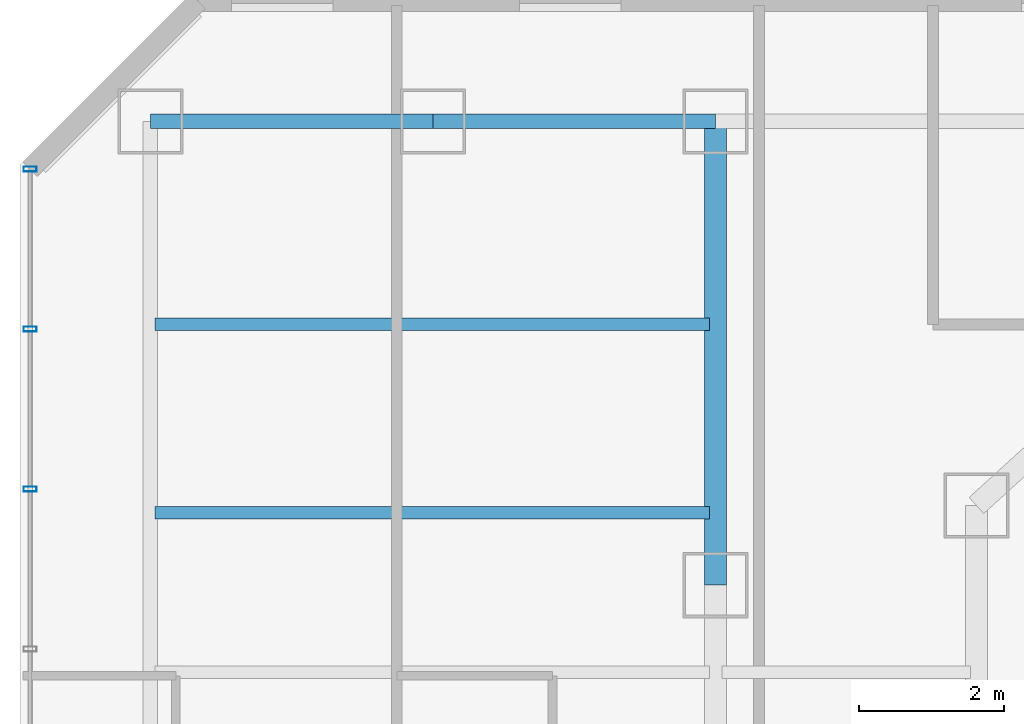
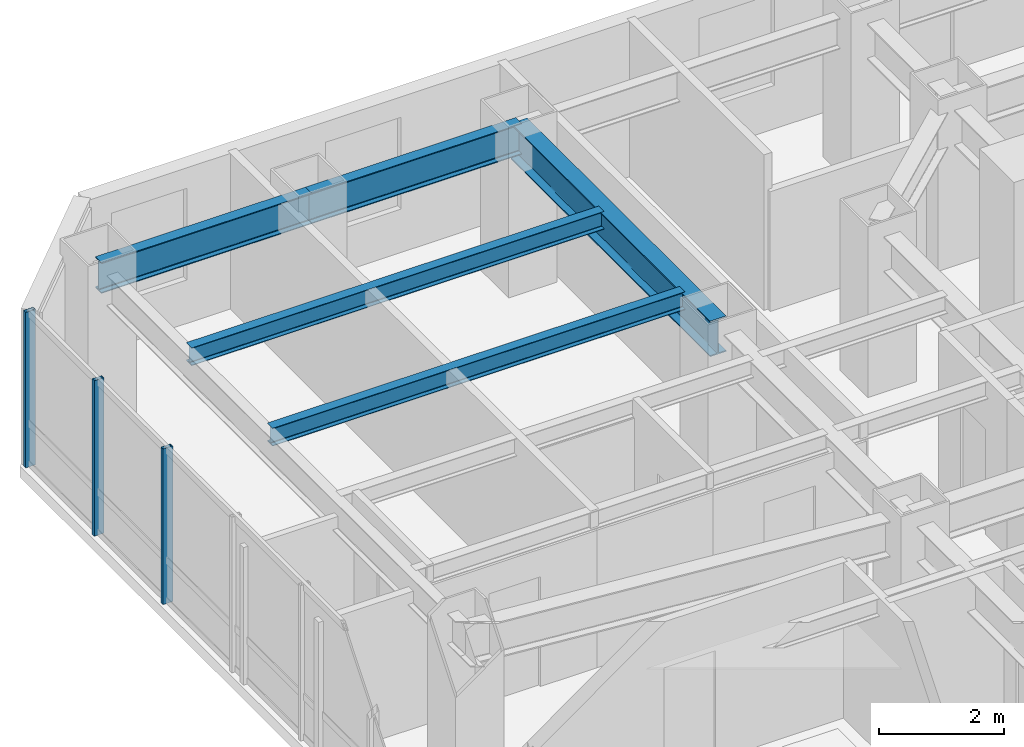
# One storey, part 23 of 36: 5 beams, 3 members, 1 element without a shape of its own.
"""IFC4 building model written with IfcOpenShell, lengths in metres."""

from ifc_helpers import new_model, si_unit, direction, frame, origin, origin_2d, place, context, subcontext, project, spatial, hollow_rectangle, i_section, extrude, material, layer, layer_set, material_profile, profile_set, type_object, element, aggregate, save


model = new_model("IFC4")

# Units and contexts
model_context = context("Model", 3, precision=1e-05, world=origin(), true_north=direction((0.0, 1.0)))
body_context = subcontext(model_context, "Body", "Model", "MODEL_VIEW")
ifc_project = project(units=[si_unit("LENGTHUNIT", "METRE"), si_unit("AREAUNIT", "SQUARE_METRE"), si_unit("VOLUMEUNIT", "CUBIC_METRE"), si_unit("PLANEANGLEUNIT", "RADIAN"), si_unit("MASSUNIT", "GRAM", prefix="KILO")], contexts=[model_context])

# Site, building, storey
site_placement = place(None, origin())
site = spatial("IfcSite", under=ifc_project, at=site_placement, CompositionType="ELEMENT")
building_placement = place(site_placement, origin())
building = spatial("IfcBuilding", under=site, at=building_placement, Name="Hatsunagi Terrace Concourse", CompositionType="ELEMENT")
storey_placement = place(building_placement, frame((0.0, 0.0, 88.0)))
storey = spatial("IfcBuildingStorey", under=building, at=storey_placement, Name="L23", CompositionType="ELEMENT", Elevation=88.0)

# Curtain wall, members
ifc_material_1 = material(Name="Anodised Aluminium Alloy 6063-T5", Category="aluminium")
ifc_layer = layer(ifc_material_1, 0.199951171875)
ifc_layer_set = layer_set([ifc_layer], Name="HotelFacade_CW02")
curtain_wall_type = type_object("IfcCurtainWallType", Name="HotelFacade_CW02", PredefinedType="NOTDEFINED", material=ifc_layer_set)
curtain_wall_placement = place(storey_placement, origin())
curtain_wall = element("IfcCurtainWall", 1, at=curtain_wall_placement, inside=storey, type_object=curtain_wall_type, Name="Unitised Curtain Wall CW-02 CW-L23-09", PredefinedType="NOTDEFINED")
ifc_material_2 = material(Name="Anodised Aluminium Alloy 6063-T5", Category="aluminium")
ifc_material_profile_1 = material_profile(ifc_material_2, hollow_rectangle(XDim=0.070068359375, YDim=0.179931640625, WallThickness=0.00390625, at=origin_2d()), Name="ALU-MUL-180x70x4")
ifc_profile_set_1 = profile_set([ifc_material_profile_1], Name="Anodised Aluminium Alloy 6063-T5")
member_type = type_object("IfcMemberType", Name="CurtainWallMullion_180x70", PredefinedType="MULLION", material=ifc_profile_set_1)
member_1_placement = place(storey_placement, frame((9.739990234375, 43.52490234375, 0.0), z_axis=(0.0, 0.0, 1.0), x_axis=(0.0, 1.0, 0.0)))
member_1 = element("IfcMember", 2, at=member_1_placement, type_object=member_type, Name="Curtain Wall Mullion MUL-02", PredefinedType="MULLION", context=body_context, shape_type="SweptSolid", body=[
    extrude(hollow_rectangle(XDim=0.070068359375, YDim=0.179931640625, WallThickness=0.00390625, at=origin_2d()), origin(), (0.0, 0.0, 1.0), 3.050048828125),
])
member_2_placement = place(storey_placement, frame((9.739990234375, 45.73388671875, 0.0), z_axis=(0.0, 0.0, 1.0), x_axis=(0.0, 1.0, 0.0)))
member_2 = element("IfcMember", 3, at=member_2_placement, type_object=member_type, Name="Curtain Wall Mullion MUL-02", PredefinedType="MULLION", context=body_context, shape_type="SweptSolid", body=[
    extrude(hollow_rectangle(XDim=0.070068359375, YDim=0.179931640625, WallThickness=0.00390625, at=origin_2d()), origin(), (0.0, 0.0, 1.0), 3.050048828125),
])
member_3_placement = place(storey_placement, frame((9.739990234375, 47.94189453125, 0.0), z_axis=(0.0, 0.0, 1.0), x_axis=(0.0, 1.0, 0.0)))
member_3 = element("IfcMember", 4, at=member_3_placement, type_object=member_type, Name="Curtain Wall Mullion MUL-02", PredefinedType="MULLION", context=body_context, shape_type="SweptSolid", body=[
    extrude(hollow_rectangle(XDim=0.070068359375, YDim=0.179931640625, WallThickness=0.00390625, at=origin_2d()), origin(), (0.0, 0.0, 1.0), 3.050048828125),
])
aggregate(curtain_wall, [member_1, member_2, member_3])

# Beams
ifc_material_3 = material(Name="Steel SN490B", Category="steel")
ifc_material_profile_2 = material_profile(ifc_material_3, i_section(OverallWidth=0.300048828125, OverallDepth=0.699951171875, WebThickness=0.012939453125, FlangeThickness=0.02392578125, FilletRadius=0.02197265625, at=origin_2d()), Name="H-700x300x13x24")
ifc_profile_set_2 = profile_set([ifc_material_profile_2], Name="Steel SN490B")
beam_type_1 = type_object("IfcBeamType", Name="HotelFloorGirder_H_700x300", PredefinedType="BEAM", material=ifc_profile_set_2)
beam_1_placement = place(storey_placement, frame((19.199951171875, 42.199951171875, 2.699951171875), z_axis=(0.0, 1.0, 0.0), x_axis=(-1.0, 0.0, 0.0)))
element("IfcBeam", 5, at=beam_1_placement, inside=storey, type_object=beam_type_1, Name="Beam G-04 BM-L23-NS-19-42", PredefinedType="BEAM", context=body_context, shape_type="SweptSolid", body=[
    extrude(i_section(OverallWidth=0.300048828125, OverallDepth=0.699951171875, WebThickness=0.012939453125, FlangeThickness=0.02392578125, FilletRadius=0.02197265625, at=origin_2d()), origin(), (0.0, 0.0, 1.0), 6.400146484375),
])
ifc_material_4 = material(Name="Steel SN490B", Category="steel")
ifc_material_profile_3 = material_profile(ifc_material_4, i_section(OverallWidth=0.175048828125, OverallDepth=0.35009765625, WebThickness=0.007080078125, FlangeThickness=0.010986328125, FilletRadius=0.012939453125, at=origin_2d()), Name="H-350x175x7x11")
ifc_profile_set_3 = profile_set([ifc_material_profile_3], Name="Steel SN490B")
beam_type_2 = type_object("IfcBeamType", Name="HotelJoist_H_350x175", PredefinedType="JOIST", material=ifc_profile_set_3)
for number, where, z_axis, x_axis, name in (
    (6, (11.465087890625, 43.199951171875, 2.875), (1.0, 0.0, 0.0), (0.0, 1.0, 0.0), "Beam J-02 J-L23-W-11-432"),
    (7, (11.465087890625, 45.800048828125, 2.875), (1.0, 0.0, 0.0), (0.0, 1.0, 0.0), "Beam J-02 J-L23-W-11-458"),
):
    element("IfcBeam", number, at=place(storey_placement, frame(where, z_axis=z_axis, x_axis=x_axis)), inside=storey, type_object=beam_type_2, Name=name, PredefinedType="JOIST", context=body_context, shape_type="SweptSolid", body=[
        extrude(i_section(OverallWidth=0.175048828125, OverallDepth=0.35009765625, WebThickness=0.007080078125, FlangeThickness=0.010986328125, FilletRadius=0.012939453125, at=origin_2d()), origin(), (0.0, 0.0, 1.0), 7.64990234375),
    ])
ifc_material_5 = material(Name="Steel SN490B", Category="steel")
ifc_material_profile_4 = material_profile(ifc_material_5, i_section(OverallWidth=0.199951171875, OverallDepth=0.60009765625, WebThickness=0.010986328125, FlangeThickness=0.01708984375, FilletRadius=0.01806640625, at=origin_2d()), Name="H-600x200x11x17")
ifc_profile_set_4 = profile_set([ifc_material_profile_4], Name="Steel SN490B")
beam_type_3 = type_object("IfcBeamType", Name="PerimeterSpandrel_H_600x200", PredefinedType="SPANDREL", material=ifc_profile_set_4)
beam_2_placement = place(storey_placement, frame((11.39990234375, 48.60009765625, 2.75), z_axis=(1.0, 0.0, 0.0), x_axis=(0.0, 1.0, 0.0)))
element("IfcBeam", 8, at=beam_2_placement, inside=storey, type_object=beam_type_3, Name="Beam SP-01 BM-L23-WN-11", PredefinedType="SPANDREL", context=body_context, shape_type="SweptSolid", body=[
    extrude(i_section(OverallWidth=0.199951171875, OverallDepth=0.60009765625, WebThickness=0.010986328125, FlangeThickness=0.01708984375, FilletRadius=0.01806640625, at=origin_2d()), origin(), (0.0, 0.0, 1.0), 3.900146484375),
])
beam_3_placement = place(storey_placement, frame((15.300048828125, 48.60009765625, 2.75), z_axis=(1.0, 0.0, 0.0), x_axis=(0.0, 1.0, 0.0)))
element("IfcBeam", 9, at=beam_3_placement, inside=storey, type_object=beam_type_3, Name="Beam SP-01 BM-L23-WN-15", PredefinedType="SPANDREL", context=body_context, shape_type="SweptSolid", body=[
    extrude(i_section(OverallWidth=0.199951171875, OverallDepth=0.60009765625, WebThickness=0.010986328125, FlangeThickness=0.01708984375, FilletRadius=0.01806640625, at=origin_2d()), origin(), (0.0, 0.0, 1.0), 3.89990234375),
])

save(model, "model.ifc")
